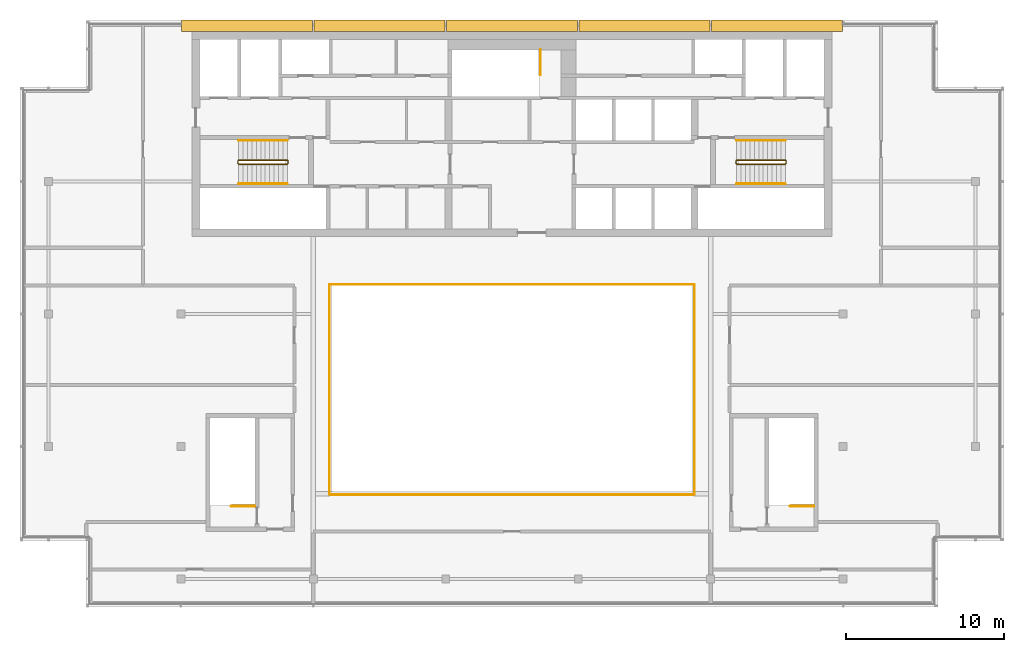
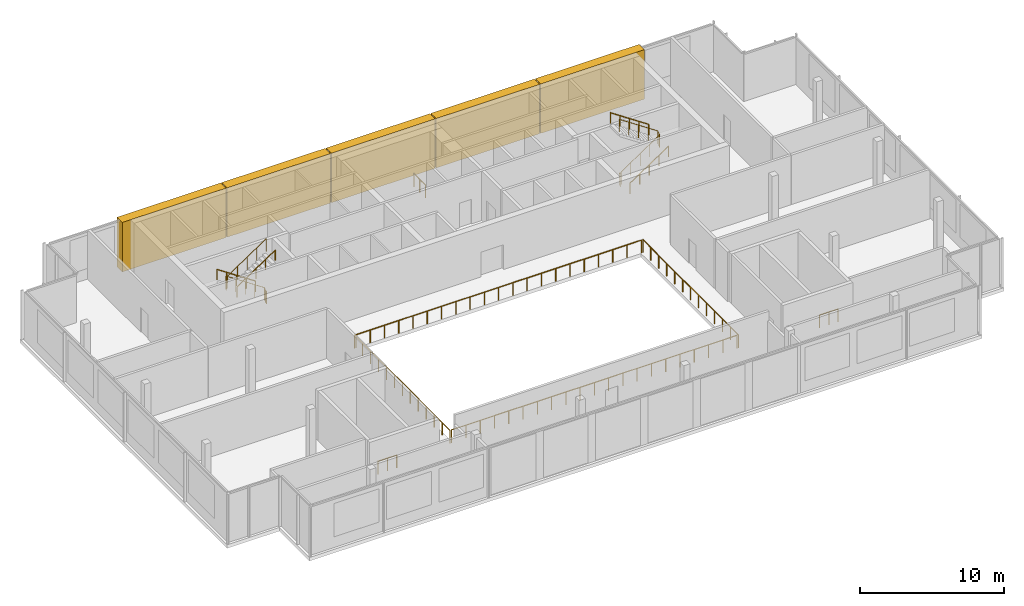
# One storey, part 14 of 14: 13 railings, 5 coverings.
"""IFC4 building model written with IfcOpenShell, lengths in metres."""

from ifc_helpers import new_model, si_unit, direction, frame, origin, origin_2d, place, context, subcontext, project, spatial, polyline, circle, outline, extrude, material, layer, layer_set, type_object, element, save


model = new_model("IFC4")

# Units and contexts
model_context = context("Model", 3, precision=1e-05, world=origin(), true_north=direction((0.0, 1.0)))
body_context = subcontext(model_context, "Body", "Model", "MODEL_VIEW")
ifc_project = project(units=[si_unit("LENGTHUNIT", "METRE"), si_unit("AREAUNIT", "SQUARE_METRE"), si_unit("VOLUMEUNIT", "CUBIC_METRE"), si_unit("PLANEANGLEUNIT", "RADIAN"), si_unit("MASSUNIT", "GRAM", prefix="KILO")], contexts=[model_context])

# Site, building, storey
site_placement = place(None, origin())
site = spatial("IfcSite", under=ifc_project, at=site_placement, CompositionType="ELEMENT")
building_placement = place(site_placement, origin())
building = spatial("IfcBuilding", under=site, at=building_placement, Name="Saffron Gate Tower", CompositionType="ELEMENT")
storey_placement = place(building_placement, frame((0.0, 0.0, 310.35009765625)))
storey = spatial("IfcBuildingStorey", under=building, at=storey_placement, Name="L76", CompositionType="ELEMENT", Elevation=310.35009765625)

# Railings
ifc_material_1 = material(Name="Stainless steel and laminated glass", Category="steel")
railing_type_1 = type_object("IfcRailingType", Name="AG1 Atrium edge guard 1100", PredefinedType="GUARDRAIL", material=ifc_material_1)
railing_1_placement = place(storey_placement, frame((76.02001953125, 45.5400390625, 0.0)))
element("IfcRailing", 1, at=railing_1_placement, inside=storey, type_object=railing_type_1, Name="Guard CR-1", PredefinedType="GUARDRAIL", context=body_context, shape_type="SweptSolid", body=[
    extrude(circle(Radius=0.02392578125, at=origin_2d()), frame((0.0, 0.0, 1.076171875), z_axis=(0.0, 1.0, 0.0), x_axis=(-1.0, 0.0, 0.0)), (0.0, 0.0, 1.0), 13.320068359375),
    extrude(circle(Radius=0.02099609375, at=origin_2d()), origin(), (0.0, 0.0, 1.0), 1.052001953125),
    extrude(circle(Radius=0.02099609375, at=origin_2d()), frame((0.0, 1.110107421875, 0.0)), (0.0, 0.0, 1.0), 1.052001953125),
    extrude(circle(Radius=0.02099609375, at=origin_2d()), frame((0.0, 2.219970703125, 0.0)), (0.0, 0.0, 1.0), 1.052001953125),
    extrude(circle(Radius=0.02099609375, at=origin_2d()), frame((0.0, 3.330078125, 0.0)), (0.0, 0.0, 1.0), 1.052001953125),
    extrude(circle(Radius=0.02099609375, at=origin_2d()), frame((0.0, 4.43994140625, 0.0)), (0.0, 0.0, 1.0), 1.052001953125),
    extrude(circle(Radius=0.02099609375, at=origin_2d()), frame((0.0, 5.550048828125, 0.0)), (0.0, 0.0, 1.0), 1.052001953125),
    extrude(circle(Radius=0.02099609375, at=origin_2d()), frame((0.0, 6.66015625, 0.0)), (0.0, 0.0, 1.0), 1.052001953125),
    extrude(circle(Radius=0.02099609375, at=origin_2d()), frame((0.0, 7.77001953125, 0.0)), (0.0, 0.0, 1.0), 1.052001953125),
    extrude(circle(Radius=0.02099609375, at=origin_2d()), frame((0.0, 8.880126953125, 0.0)), (0.0, 0.0, 1.0), 1.052001953125),
    extrude(circle(Radius=0.02099609375, at=origin_2d()), frame((0.0, 9.989990234375, 0.0)), (0.0, 0.0, 1.0), 1.052001953125),
    extrude(circle(Radius=0.02099609375, at=origin_2d()), frame((0.0, 11.10009765625, 0.0)), (0.0, 0.0, 1.0), 1.052001953125),
    extrude(circle(Radius=0.02099609375, at=origin_2d()), frame((0.0, 12.2099609375, 0.0)), (0.0, 0.0, 1.0), 1.052001953125),
    extrude(circle(Radius=0.02099609375, at=origin_2d()), frame((0.0, 13.320068359375, 0.0)), (0.0, 0.0, 1.0), 1.052001953125),
])
railing_2_placement = place(storey_placement, frame((76.139892578125, 58.860107421875, 0.0)))
element("IfcRailing", 2, at=railing_2_placement, inside=storey, type_object=railing_type_1, Name="Guard CR-2", PredefinedType="GUARDRAIL", context=body_context, shape_type="SweptSolid", body=[
    extrude(circle(Radius=0.02392578125, at=origin_2d()), frame((0.0, 0.0, 1.076171875), z_axis=(1.0, 0.0, 0.0), x_axis=(0.0, 1.0, 0.0)), (0.0, 0.0, 1.0), 22.920166015625),
    extrude(circle(Radius=0.02099609375, at=origin_2d()), origin(), (0.0, 0.0, 1.0), 1.052001953125),
    extrude(circle(Radius=0.02099609375, at=origin_2d()), frame((1.14599609375, 0.0, 0.0)), (0.0, 0.0, 1.0), 1.052001953125),
    extrude(circle(Radius=0.02099609375, at=origin_2d()), frame((2.2919921875, 0.0, 0.0)), (0.0, 0.0, 1.0), 1.052001953125),
    extrude(circle(Radius=0.02099609375, at=origin_2d()), frame((3.43798828125, 0.0, 0.0)), (0.0, 0.0, 1.0), 1.052001953125),
    extrude(circle(Radius=0.02099609375, at=origin_2d()), frame((4.583984375, 0.0, 0.0)), (0.0, 0.0, 1.0), 1.052001953125),
    extrude(circle(Radius=0.02099609375, at=origin_2d()), frame((5.72998046875, 0.0, 0.0)), (0.0, 0.0, 1.0), 1.052001953125),
    extrude(circle(Radius=0.02099609375, at=origin_2d()), frame((6.8759765625, 0.0, 0.0)), (0.0, 0.0, 1.0), 1.052001953125),
    extrude(circle(Radius=0.02099609375, at=origin_2d()), frame((8.02197265625, 0.0, 0.0)), (0.0, 0.0, 1.0), 1.052001953125),
    extrude(circle(Radius=0.02099609375, at=origin_2d()), frame((9.16796875, 0.0, 0.0)), (0.0, 0.0, 1.0), 1.052001953125),
    extrude(circle(Radius=0.02099609375, at=origin_2d()), frame((10.31396484375, 0.0, 0.0)), (0.0, 0.0, 1.0), 1.052001953125),
    extrude(circle(Radius=0.02099609375, at=origin_2d()), frame((11.4599609375, 0.0, 0.0)), (0.0, 0.0, 1.0), 1.052001953125),
    extrude(circle(Radius=0.02099609375, at=origin_2d()), frame((12.606201171875, 0.0, 0.0)), (0.0, 0.0, 1.0), 1.052001953125),
    extrude(circle(Radius=0.02099609375, at=origin_2d()), frame((13.752197265625, 0.0, 0.0)), (0.0, 0.0, 1.0), 1.052001953125),
    extrude(circle(Radius=0.02099609375, at=origin_2d()), frame((14.898193359375, 0.0, 0.0)), (0.0, 0.0, 1.0), 1.052001953125),
    extrude(circle(Radius=0.02099609375, at=origin_2d()), frame((16.044189453125, 0.0, 0.0)), (0.0, 0.0, 1.0), 1.052001953125),
    extrude(circle(Radius=0.02099609375, at=origin_2d()), frame((17.190185546875, 0.0, 0.0)), (0.0, 0.0, 1.0), 1.052001953125),
    extrude(circle(Radius=0.02099609375, at=origin_2d()), frame((18.336181640625, 0.0, 0.0)), (0.0, 0.0, 1.0), 1.052001953125),
    extrude(circle(Radius=0.02099609375, at=origin_2d()), frame((19.482177734375, 0.0, 0.0)), (0.0, 0.0, 1.0), 1.052001953125),
    extrude(circle(Radius=0.02099609375, at=origin_2d()), frame((20.628173828125, 0.0, 0.0)), (0.0, 0.0, 1.0), 1.052001953125),
    extrude(circle(Radius=0.02099609375, at=origin_2d()), frame((21.774169921875, 0.0, 0.0)), (0.0, 0.0, 1.0), 1.052001953125),
    extrude(circle(Radius=0.02099609375, at=origin_2d()), frame((22.920166015625, 0.0, 0.0)), (0.0, 0.0, 1.0), 1.052001953125),
])
railing_3_placement = place(storey_placement, frame((99.179931640625, 58.860107421875, 0.0)))
element("IfcRailing", 3, at=railing_3_placement, inside=storey, type_object=railing_type_1, Name="Guard CR-3", PredefinedType="GUARDRAIL", context=body_context, shape_type="SweptSolid", body=[
    extrude(circle(Radius=0.02392578125, at=origin_2d()), frame((0.0, 0.0, 1.076171875), z_axis=(0.0, -1.0, 0.0), x_axis=(1.0, 0.0, 0.0)), (0.0, 0.0, 1.0), 13.320068359375),
    extrude(circle(Radius=0.02099609375, at=origin_2d()), origin(), (0.0, 0.0, 1.0), 1.052001953125),
    extrude(circle(Radius=0.02099609375, at=origin_2d()), frame((0.0, -1.110107421875, 0.0)), (0.0, 0.0, 1.0), 1.052001953125),
    extrude(circle(Radius=0.02099609375, at=origin_2d()), frame((0.0, -2.219970703125, 0.0)), (0.0, 0.0, 1.0), 1.052001953125),
    extrude(circle(Radius=0.02099609375, at=origin_2d()), frame((0.0, -3.330078125, 0.0)), (0.0, 0.0, 1.0), 1.052001953125),
    extrude(circle(Radius=0.02099609375, at=origin_2d()), frame((0.0, -4.43994140625, 0.0)), (0.0, 0.0, 1.0), 1.052001953125),
    extrude(circle(Radius=0.02099609375, at=origin_2d()), frame((0.0, -5.550048828125, 0.0)), (0.0, 0.0, 1.0), 1.052001953125),
    extrude(circle(Radius=0.02099609375, at=origin_2d()), frame((0.0, -6.66015625, 0.0)), (0.0, 0.0, 1.0), 1.052001953125),
    extrude(circle(Radius=0.02099609375, at=origin_2d()), frame((0.0, -7.77001953125, 0.0)), (0.0, 0.0, 1.0), 1.052001953125),
    extrude(circle(Radius=0.02099609375, at=origin_2d()), frame((0.0, -8.880126953125, 0.0)), (0.0, 0.0, 1.0), 1.052001953125),
    extrude(circle(Radius=0.02099609375, at=origin_2d()), frame((0.0, -9.989990234375, 0.0)), (0.0, 0.0, 1.0), 1.052001953125),
    extrude(circle(Radius=0.02099609375, at=origin_2d()), frame((0.0, -11.10009765625, 0.0)), (0.0, 0.0, 1.0), 1.052001953125),
    extrude(circle(Radius=0.02099609375, at=origin_2d()), frame((0.0, -12.2099609375, 0.0)), (0.0, 0.0, 1.0), 1.052001953125),
    extrude(circle(Radius=0.02099609375, at=origin_2d()), frame((0.0, -13.320068359375, 0.0)), (0.0, 0.0, 1.0), 1.052001953125),
])
railing_4_placement = place(storey_placement, frame((99.06005859375, 45.5400390625, 0.0)))
element("IfcRailing", 4, at=railing_4_placement, inside=storey, type_object=railing_type_1, Name="Guard CR-4", PredefinedType="GUARDRAIL", context=body_context, shape_type="SweptSolid", body=[
    extrude(circle(Radius=0.02392578125, at=origin_2d()), frame((0.0, 0.0, 1.076171875), z_axis=(-1.0, 0.0, 0.0), x_axis=(0.0, -1.0, 0.0)), (0.0, 0.0, 1.0), 22.920166015625),
    extrude(circle(Radius=0.02099609375, at=origin_2d()), origin(), (0.0, 0.0, 1.0), 1.052001953125),
    extrude(circle(Radius=0.02099609375, at=origin_2d()), frame((-1.14599609375, 0.0, 0.0)), (0.0, 0.0, 1.0), 1.052001953125),
    extrude(circle(Radius=0.02099609375, at=origin_2d()), frame((-2.2919921875, 0.0, 0.0)), (0.0, 0.0, 1.0), 1.052001953125),
    extrude(circle(Radius=0.02099609375, at=origin_2d()), frame((-3.43798828125, 0.0, 0.0)), (0.0, 0.0, 1.0), 1.052001953125),
    extrude(circle(Radius=0.02099609375, at=origin_2d()), frame((-4.583984375, 0.0, 0.0)), (0.0, 0.0, 1.0), 1.052001953125),
    extrude(circle(Radius=0.02099609375, at=origin_2d()), frame((-5.72998046875, 0.0, 0.0)), (0.0, 0.0, 1.0), 1.052001953125),
    extrude(circle(Radius=0.02099609375, at=origin_2d()), frame((-6.8759765625, 0.0, 0.0)), (0.0, 0.0, 1.0), 1.052001953125),
    extrude(circle(Radius=0.02099609375, at=origin_2d()), frame((-8.02197265625, 0.0, 0.0)), (0.0, 0.0, 1.0), 1.052001953125),
    extrude(circle(Radius=0.02099609375, at=origin_2d()), frame((-9.16796875, 0.0, 0.0)), (0.0, 0.0, 1.0), 1.052001953125),
    extrude(circle(Radius=0.02099609375, at=origin_2d()), frame((-10.31396484375, 0.0, 0.0)), (0.0, 0.0, 1.0), 1.052001953125),
    extrude(circle(Radius=0.02099609375, at=origin_2d()), frame((-11.4599609375, 0.0, 0.0)), (0.0, 0.0, 1.0), 1.052001953125),
    extrude(circle(Radius=0.02099609375, at=origin_2d()), frame((-12.606201171875, 0.0, 0.0)), (0.0, 0.0, 1.0), 1.052001953125),
    extrude(circle(Radius=0.02099609375, at=origin_2d()), frame((-13.752197265625, 0.0, 0.0)), (0.0, 0.0, 1.0), 1.052001953125),
    extrude(circle(Radius=0.02099609375, at=origin_2d()), frame((-14.898193359375, 0.0, 0.0)), (0.0, 0.0, 1.0), 1.052001953125),
    extrude(circle(Radius=0.02099609375, at=origin_2d()), frame((-16.044189453125, 0.0, 0.0)), (0.0, 0.0, 1.0), 1.052001953125),
    extrude(circle(Radius=0.02099609375, at=origin_2d()), frame((-17.190185546875, 0.0, 0.0)), (0.0, 0.0, 1.0), 1.052001953125),
    extrude(circle(Radius=0.02099609375, at=origin_2d()), frame((-18.336181640625, 0.0, 0.0)), (0.0, 0.0, 1.0), 1.052001953125),
    extrude(circle(Radius=0.02099609375, at=origin_2d()), frame((-19.482177734375, 0.0, 0.0)), (0.0, 0.0, 1.0), 1.052001953125),
    extrude(circle(Radius=0.02099609375, at=origin_2d()), frame((-20.628173828125, 0.0, 0.0)), (0.0, 0.0, 1.0), 1.052001953125),
    extrude(circle(Radius=0.02099609375, at=origin_2d()), frame((-21.774169921875, 0.0, 0.0)), (0.0, 0.0, 1.0), 1.052001953125),
    extrude(circle(Radius=0.02099609375, at=origin_2d()), frame((-22.920166015625, 0.0, 0.0)), (0.0, 0.0, 1.0), 1.052001953125),
])

# Coverings
ifc_material_2 = material(Name="Ceramic-printed bronze insulated panel")
ifc_layer = layer(ifc_material_2, 0.739990234375)
ifc_layer_set = layer_set([ifc_layer], Name="CLD5 ceramic-printed cladding panel 740")
covering_type = type_object("IfcCoveringType", Name="CLD5 ceramic-printed cladding panel 740", PredefinedType="CLADDING", material=ifc_layer_set)
covering_1_placement = place(storey_placement, origin())
element("IfcCovering", 5, at=covering_1_placement, inside=storey, type_object=covering_type, Name="CLADDING ceramic-printed panel", PredefinedType="CLADDING", context=body_context, shape_type="SweptSolid", body=[
    extrude(outline(polyline([(108.56005859375, 75.639892578125), (100.239990234375, 75.639892578125), (100.239990234375, 74.89990234375), (108.56005859375, 74.89990234375), (108.56005859375, 75.639892578125)])), origin(), (0.0, 0.0, 1.0), 4.199951171875),
])
covering_2_placement = place(storey_placement, origin())
element("IfcCovering", 6, at=covering_2_placement, inside=storey, type_object=covering_type, Name="CLADDING ceramic-printed panel", PredefinedType="CLADDING", context=body_context, shape_type="SweptSolid", body=[
    extrude(outline(polyline([(100.159912109375, 75.639892578125), (91.840087890625, 75.639892578125), (91.840087890625, 74.89990234375), (100.159912109375, 74.89990234375), (100.159912109375, 75.639892578125)])), origin(), (0.0, 0.0, 1.0), 4.199951171875),
])
covering_3_placement = place(storey_placement, origin())
element("IfcCovering", 7, at=covering_3_placement, inside=storey, type_object=covering_type, Name="CLADDING ceramic-printed panel", PredefinedType="CLADDING", context=body_context, shape_type="SweptSolid", body=[
    extrude(outline(polyline([(91.760009765625, 75.639892578125), (83.43994140625, 75.639892578125), (83.43994140625, 74.89990234375), (91.760009765625, 74.89990234375), (91.760009765625, 75.639892578125)])), origin(), (0.0, 0.0, 1.0), 4.199951171875),
])
covering_4_placement = place(storey_placement, origin())
element("IfcCovering", 8, at=covering_4_placement, inside=storey, type_object=covering_type, Name="CLADDING ceramic-printed panel", PredefinedType="CLADDING", context=body_context, shape_type="SweptSolid", body=[
    extrude(outline(polyline([(83.360107421875, 75.639892578125), (75.0400390625, 75.639892578125), (75.0400390625, 74.89990234375), (83.360107421875, 74.89990234375), (83.360107421875, 75.639892578125)])), origin(), (0.0, 0.0, 1.0), 4.199951171875),
])
covering_5_placement = place(storey_placement, origin())
element("IfcCovering", 9, at=covering_5_placement, inside=storey, type_object=covering_type, Name="CLADDING ceramic-printed panel", PredefinedType="CLADDING", context=body_context, shape_type="SweptSolid", body=[
    extrude(outline(polyline([(74.9599609375, 75.639892578125), (66.639892578125, 75.639892578125), (66.639892578125, 74.89990234375), (74.9599609375, 74.89990234375), (74.9599609375, 75.639892578125)])), origin(), (0.0, 0.0, 1.0), 4.199951171875),
])

# Railings
railing_type_2 = type_object("IfcRailingType", Name="CR1 Stair guard 1100", PredefinedType="GUARDRAIL", material=ifc_material_1)
railing_5_placement = place(storey_placement, frame((73.39990234375, 66.550048828125, 0.0)))
element("IfcRailing", 10, at=railing_5_placement, inside=storey, type_object=railing_type_2, Name="L76 ST-A stair guard 1", PredefinedType="GUARDRAIL", context=body_context, shape_type="SweptSolid", body=[
    extrude(circle(Radius=0.02392578125, at=origin_2d()), frame((0.0, 0.0, 1.076171875), z_axis=(0.0, 1.0, 0.0), x_axis=(-1.0, 0.0, 0.0)), (0.0, 0.0, 1.0), 0.14990234375),
    extrude(circle(Radius=0.02392578125, at=origin_2d()), frame((0.0, 0.14990234375, 1.076171875), z_axis=(-0.248583702486, 0.249802250048, 0.935844527007), x_axis=(-0.708833529934, -0.705375805398, 0.0)), (0.0, 0.0, 1.0), 0.200439453125),
    extrude(circle(Radius=0.02392578125, at=origin_2d()), frame((-0.0498046875, 0.199951171875, 1.263671875), z_axis=(-0.830913701846, 0.0, 0.55640131208), x_axis=(0.0, -1.0, 0.0)), (0.0, 0.0, 1.0), 3.706787109375),
    extrude(circle(Radius=0.02392578125, at=origin_2d()), frame((-3.1298828125, 0.199951171875, 3.326171875), z_axis=(-0.707106781187, -0.707106781187, 0.0), x_axis=(0.707106781187, -0.707106781187, 0.0)), (0.0, 0.0, 1.0), 0.07080078125),
    extrude(circle(Radius=0.02392578125, at=origin_2d()), frame((-3.179931640625, 0.14990234375, 3.326171875), z_axis=(0.0, -1.0, 0.0), x_axis=(1.0, 0.0, 0.0)), (0.0, 0.0, 1.0), 0.14990234375),
    extrude(circle(Radius=0.02392578125, at=origin_2d()), frame((-3.179931640625, 0.0, 3.326171875), z_axis=(0.249726431254, -0.249726431254, 0.935560483917), x_axis=(0.707106781187, 0.707106781187, 0.0)), (0.0, 0.0, 1.0), 0.200439453125),
    extrude(circle(Radius=0.02392578125, at=origin_2d()), frame((-3.1298828125, -0.050048828125, 3.513671875), z_axis=(0.830913701846, 0.0, 0.55640131208), x_axis=(0.0, 1.0, 0.0)), (0.0, 0.0, 1.0), 3.706787109375),
    extrude(circle(Radius=0.02099609375, at=origin_2d()), origin(), (0.0, 0.0, 1.0), 1.052001953125),
    extrude(circle(Radius=0.02099609375, at=origin_2d()), frame((0.0, 0.14990234375, 0.0)), (0.0, 0.0, 1.0), 1.052001953125),
    extrude(circle(Radius=0.02099609375, at=origin_2d()), frame((-0.0498046875, 0.199951171875, 0.1875)), (0.0, 0.0, 1.0), 1.052001953125),
    extrude(circle(Radius=0.02099609375, at=origin_2d()), frame((-0.81982421875, 0.199951171875, 0.703125)), (0.0, 0.0, 1.0), 1.052001953125),
    extrude(circle(Radius=0.02099609375, at=origin_2d()), frame((-1.58984375, 0.199951171875, 1.21875)), (0.0, 0.0, 1.0), 1.052001953125),
    extrude(circle(Radius=0.02099609375, at=origin_2d()), frame((-2.35986328125, 0.199951171875, 1.734375)), (0.0, 0.0, 1.0), 1.052001953125),
    extrude(circle(Radius=0.02099609375, at=origin_2d()), frame((-3.1298828125, 0.199951171875, 2.25)), (0.0, 0.0, 1.0), 1.052001953125),
    extrude(circle(Radius=0.02099609375, at=origin_2d()), frame((-3.179931640625, 0.14990234375, 2.25)), (0.0, 0.0, 1.0), 1.052001953125),
    extrude(circle(Radius=0.02099609375, at=origin_2d()), frame((-3.179931640625, 0.0, 2.25)), (0.0, 0.0, 1.0), 1.052001953125),
    extrude(circle(Radius=0.02099609375, at=origin_2d()), frame((-3.1298828125, -0.050048828125, 2.4375)), (0.0, 0.0, 1.0), 1.052001953125),
    extrude(circle(Radius=0.02099609375, at=origin_2d()), frame((-2.35986328125, -0.050048828125, 2.953125)), (0.0, 0.0, 1.0), 1.052001953125),
    extrude(circle(Radius=0.02099609375, at=origin_2d()), frame((-1.58984375, -0.050048828125, 3.46875)), (0.0, 0.0, 1.0), 1.052001953125),
    extrude(circle(Radius=0.02099609375, at=origin_2d()), frame((-0.81982421875, -0.050048828125, 3.984375)), (0.0, 0.0, 1.0), 1.052001953125),
    extrude(circle(Radius=0.02099609375, at=origin_2d()), frame((-0.0498046875, -0.050048828125, 4.5)), (0.0, 0.0, 1.0), 1.052001953125),
])
railing_6_placement = place(storey_placement, frame((101.800048828125, 66.699951171875, 0.0)))
element("IfcRailing", 11, at=railing_6_placement, inside=storey, type_object=railing_type_2, Name="L76 ST-B stair guard 1", PredefinedType="GUARDRAIL", context=body_context, shape_type="SweptSolid", body=[
    extrude(circle(Radius=0.02392578125, at=origin_2d()), frame((0.0, 0.0, 1.076171875), z_axis=(0.0, -1.0, 0.0), x_axis=(1.0, 0.0, 0.0)), (0.0, 0.0, 1.0), 0.14990234375),
    extrude(circle(Radius=0.02392578125, at=origin_2d()), frame((0.0, -0.14990234375, 1.076171875), z_axis=(0.249726431254, -0.249726431254, 0.935560483917), x_axis=(0.707106781187, 0.707106781187, 0.0)), (0.0, 0.0, 1.0), 0.200439453125),
    extrude(circle(Radius=0.02392578125, at=origin_2d()), frame((0.050048828125, -0.199951171875, 1.263671875), z_axis=(0.830893310487, 0.0, 0.556431762742), x_axis=(0.0, 1.0, 0.0)), (0.0, 0.0, 1.0), 3.70654296875),
    extrude(circle(Radius=0.02392578125, at=origin_2d()), frame((3.1298828125, -0.199951171875, 3.326171875), z_axis=(0.707106781187, 0.707106781187, 0.0), x_axis=(-0.707106781187, 0.707106781187, 0.0)), (0.0, 0.0, 1.0), 0.07080078125),
    extrude(circle(Radius=0.02392578125, at=origin_2d()), frame((3.179931640625, -0.14990234375, 3.326171875), z_axis=(0.0, 1.0, 0.0), x_axis=(-1.0, 0.0, 0.0)), (0.0, 0.0, 1.0), 0.14990234375),
    extrude(circle(Radius=0.02392578125, at=origin_2d()), frame((3.179931640625, 0.0, 3.326171875), z_axis=(-0.249726431254, 0.249726431254, 0.935560483917), x_axis=(-0.707106781187, -0.707106781187, 0.0)), (0.0, 0.0, 1.0), 0.200439453125),
    extrude(circle(Radius=0.02392578125, at=origin_2d()), frame((3.1298828125, 0.050048828125, 3.513671875), z_axis=(-0.830893310487, 0.0, 0.556431762742), x_axis=(0.0, -1.0, 0.0)), (0.0, 0.0, 1.0), 3.70654296875),
    extrude(circle(Radius=0.02099609375, at=origin_2d()), origin(), (0.0, 0.0, 1.0), 1.052001953125),
    extrude(circle(Radius=0.02099609375, at=origin_2d()), frame((0.0, -0.14990234375, 0.0)), (0.0, 0.0, 1.0), 1.052001953125),
    extrude(circle(Radius=0.02099609375, at=origin_2d()), frame((0.050048828125, -0.199951171875, 0.1875)), (0.0, 0.0, 1.0), 1.052001953125),
    extrude(circle(Radius=0.02099609375, at=origin_2d()), frame((0.820068359375, -0.199951171875, 0.703125)), (0.0, 0.0, 1.0), 1.052001953125),
    extrude(circle(Radius=0.02099609375, at=origin_2d()), frame((1.58984375, -0.199951171875, 1.21875)), (0.0, 0.0, 1.0), 1.052001953125),
    extrude(circle(Radius=0.02099609375, at=origin_2d()), frame((2.35986328125, -0.199951171875, 1.734375)), (0.0, 0.0, 1.0), 1.052001953125),
    extrude(circle(Radius=0.02099609375, at=origin_2d()), frame((3.1298828125, -0.199951171875, 2.25)), (0.0, 0.0, 1.0), 1.052001953125),
    extrude(circle(Radius=0.02099609375, at=origin_2d()), frame((3.179931640625, -0.14990234375, 2.25)), (0.0, 0.0, 1.0), 1.052001953125),
    extrude(circle(Radius=0.02099609375, at=origin_2d()), frame((3.179931640625, 0.0, 2.25)), (0.0, 0.0, 1.0), 1.052001953125),
    extrude(circle(Radius=0.02099609375, at=origin_2d()), frame((3.1298828125, 0.050048828125, 2.4375)), (0.0, 0.0, 1.0), 1.052001953125),
    extrude(circle(Radius=0.02099609375, at=origin_2d()), frame((2.35986328125, 0.050048828125, 2.953125)), (0.0, 0.0, 1.0), 1.052001953125),
    extrude(circle(Radius=0.02099609375, at=origin_2d()), frame((1.58984375, 0.050048828125, 3.46875)), (0.0, 0.0, 1.0), 1.052001953125),
    extrude(circle(Radius=0.02099609375, at=origin_2d()), frame((0.820068359375, 0.050048828125, 3.984375)), (0.0, 0.0, 1.0), 1.052001953125),
    extrude(circle(Radius=0.02099609375, at=origin_2d()), frame((0.050048828125, 0.050048828125, 4.5)), (0.0, 0.0, 1.0), 1.052001953125),
])
railing_7_placement = place(storey_placement, frame((89.39990234375, 73.75, 0.0)))
element("IfcRailing", 12, at=railing_7_placement, inside=storey, type_object=railing_type_2, Name="L76 ST-C top well guard 1", PredefinedType="GUARDRAIL", context=body_context, shape_type="SweptSolid", body=[
    extrude(circle(Radius=0.02392578125, at=origin_2d()), frame((0.0, 0.0, 1.076171875), z_axis=(0.0, -1.0, 0.0), x_axis=(1.0, 0.0, 0.0)), (0.0, 0.0, 1.0), 1.60009765625),
    extrude(circle(Radius=0.02099609375, at=origin_2d()), origin(), (0.0, 0.0, 1.0), 1.052001953125),
    extrude(circle(Radius=0.02099609375, at=origin_2d()), frame((0.0, -0.800048828125, 0.0)), (0.0, 0.0, 1.0), 1.052001953125),
    extrude(circle(Radius=0.02099609375, at=origin_2d()), frame((0.0, -1.60009765625, 0.0)), (0.0, 0.0, 1.0), 1.052001953125),
])
for number, where, name in (
    (13, (71.300048828125, 44.800048828125, 0.0), "L76 ST-D top well guard 1"),
    (14, (106.75, 44.800048828125, 0.0), "L76 ST-E top well guard 1"),
):
    element("IfcRailing", number, at=place(storey_placement, frame(where)), inside=storey, type_object=railing_type_2, Name=name, PredefinedType="GUARDRAIL", context=body_context, shape_type="SweptSolid", body=[
        extrude(circle(Radius=0.02392578125, at=origin_2d()), frame((0.0, 0.0, 1.076171875), z_axis=(-1.0, 0.0, 0.0), x_axis=(0.0, -1.0, 0.0)), (0.0, 0.0, 1.0), 1.5),
        extrude(circle(Radius=0.02099609375, at=origin_2d()), origin(), (0.0, 0.0, 1.0), 1.052001953125),
        extrude(circle(Radius=0.02099609375, at=origin_2d()), frame((-0.75, 0.0, 0.0)), (0.0, 0.0, 1.0), 1.052001953125),
        extrude(circle(Radius=0.02099609375, at=origin_2d()), frame((-1.5, 0.0, 0.0)), (0.0, 0.0, 1.0), 1.052001953125),
    ])
ifc_material_3 = material(Name="Stainless steel", Category="steel")
railing_type_3 = type_object("IfcRailingType", Name="CR2 Stair handrail 900", PredefinedType="HANDRAIL", material=ifc_material_3)
railing_8_placement = place(storey_placement, frame((73.35009765625, 68.0, 0.1875)))
element("IfcRailing", 15, at=railing_8_placement, inside=storey, type_object=railing_type_3, Name="L76 ST-A stair handrail 1", PredefinedType="HANDRAIL", context=body_context, shape_type="SweptSolid", body=[
    extrude(circle(Radius=0.02392578125, at=origin_2d()), frame((0.0, 0.0, 0.8759765625), z_axis=(-0.830913701846, 0.0, 0.55640131208), x_axis=(0.0, -1.0, 0.0)), (0.0, 0.0, 1.0), 3.706787109375),
    extrude(circle(Radius=0.02099609375, at=origin_2d()), origin(), (0.0, 0.0, 1.0), 0.851806640625),
    extrude(circle(Radius=0.02099609375, at=origin_2d()), frame((-0.77001953125, 0.0, 0.515625)), (0.0, 0.0, 1.0), 0.851806640625),
    extrude(circle(Radius=0.02099609375, at=origin_2d()), frame((-1.5400390625, 0.0, 1.03125)), (0.0, 0.0, 1.0), 0.851806640625),
    extrude(circle(Radius=0.02099609375, at=origin_2d()), frame((-2.31005859375, 0.0, 1.546875)), (0.0, 0.0, 1.0), 0.851806640625),
    extrude(circle(Radius=0.02099609375, at=origin_2d()), frame((-3.080078125, 0.0, 2.0625)), (0.0, 0.0, 1.0), 0.851806640625),
])
railing_9_placement = place(storey_placement, frame((70.27001953125, 65.25, 2.4375)))
element("IfcRailing", 16, at=railing_9_placement, inside=storey, type_object=railing_type_3, Name="L76 ST-A stair handrail 2", PredefinedType="HANDRAIL", context=body_context, shape_type="SweptSolid", body=[
    extrude(circle(Radius=0.02392578125, at=origin_2d()), frame((0.0, 0.0, 0.8759765625), z_axis=(0.830913701846, 0.0, 0.55640131208), x_axis=(0.0, 1.0, 0.0)), (0.0, 0.0, 1.0), 3.706787109375),
    extrude(circle(Radius=0.02099609375, at=origin_2d()), origin(), (0.0, 0.0, 1.0), 0.851806640625),
    extrude(circle(Radius=0.02099609375, at=origin_2d()), frame((0.77001953125, 0.0, 0.515625)), (0.0, 0.0, 1.0), 0.851806640625),
    extrude(circle(Radius=0.02099609375, at=origin_2d()), frame((1.5400390625, 0.0, 1.03125)), (0.0, 0.0, 1.0), 0.851806640625),
    extrude(circle(Radius=0.02099609375, at=origin_2d()), frame((2.31005859375, 0.0, 1.546875)), (0.0, 0.0, 1.0), 0.851806640625),
    extrude(circle(Radius=0.02099609375, at=origin_2d()), frame((3.080078125, 0.0, 2.0625)), (0.0, 0.0, 1.0), 0.851806640625),
])
railing_10_placement = place(storey_placement, frame((101.85009765625, 65.25, 0.1875)))
element("IfcRailing", 17, at=railing_10_placement, inside=storey, type_object=railing_type_3, Name="L76 ST-B stair handrail 1", PredefinedType="HANDRAIL", context=body_context, shape_type="SweptSolid", body=[
    extrude(circle(Radius=0.02392578125, at=origin_2d()), frame((0.0, 0.0, 0.8759765625), z_axis=(0.830893310487, 0.0, 0.556431762742), x_axis=(0.0, 1.0, 0.0)), (0.0, 0.0, 1.0), 3.70654296875),
    extrude(circle(Radius=0.02099609375, at=origin_2d()), origin(), (0.0, 0.0, 1.0), 0.851806640625),
    extrude(circle(Radius=0.02099609375, at=origin_2d()), frame((0.77001953125, 0.0, 0.515625)), (0.0, 0.0, 1.0), 0.851806640625),
    extrude(circle(Radius=0.02099609375, at=origin_2d()), frame((1.5400390625, 0.0, 1.03125)), (0.0, 0.0, 1.0), 0.851806640625),
    extrude(circle(Radius=0.02099609375, at=origin_2d()), frame((2.309814453125, 0.0, 1.546875)), (0.0, 0.0, 1.0), 0.851806640625),
    extrude(circle(Radius=0.02099609375, at=origin_2d()), frame((3.079833984375, 0.0, 2.0625)), (0.0, 0.0, 1.0), 0.851806640625),
])
railing_11_placement = place(storey_placement, frame((104.929931640625, 68.0, 2.4375)))
element("IfcRailing", 18, at=railing_11_placement, inside=storey, type_object=railing_type_3, Name="L76 ST-B stair handrail 2", PredefinedType="HANDRAIL", context=body_context, shape_type="SweptSolid", body=[
    extrude(circle(Radius=0.02392578125, at=origin_2d()), frame((0.0, 0.0, 0.8759765625), z_axis=(-0.830893310487, 0.0, 0.556431762742), x_axis=(0.0, -1.0, 0.0)), (0.0, 0.0, 1.0), 3.70654296875),
    extrude(circle(Radius=0.02099609375, at=origin_2d()), origin(), (0.0, 0.0, 1.0), 0.851806640625),
    extrude(circle(Radius=0.02099609375, at=origin_2d()), frame((-0.77001953125, 0.0, 0.515625)), (0.0, 0.0, 1.0), 0.851806640625),
    extrude(circle(Radius=0.02099609375, at=origin_2d()), frame((-1.5400390625, 0.0, 1.03125)), (0.0, 0.0, 1.0), 0.851806640625),
    extrude(circle(Radius=0.02099609375, at=origin_2d()), frame((-2.309814453125, 0.0, 1.546875)), (0.0, 0.0, 1.0), 0.851806640625),
    extrude(circle(Radius=0.02099609375, at=origin_2d()), frame((-3.079833984375, 0.0, 2.0625)), (0.0, 0.0, 1.0), 0.851806640625),
])

save(model, "model.ifc")
